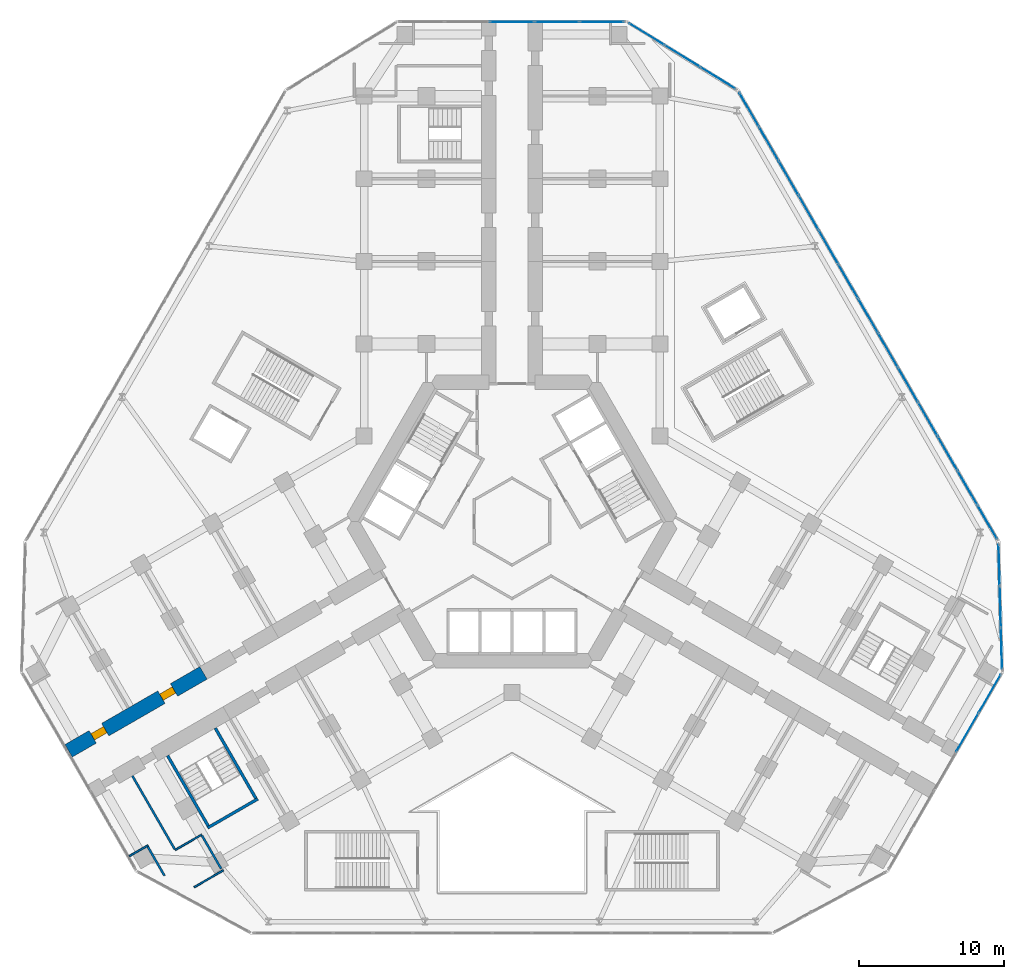
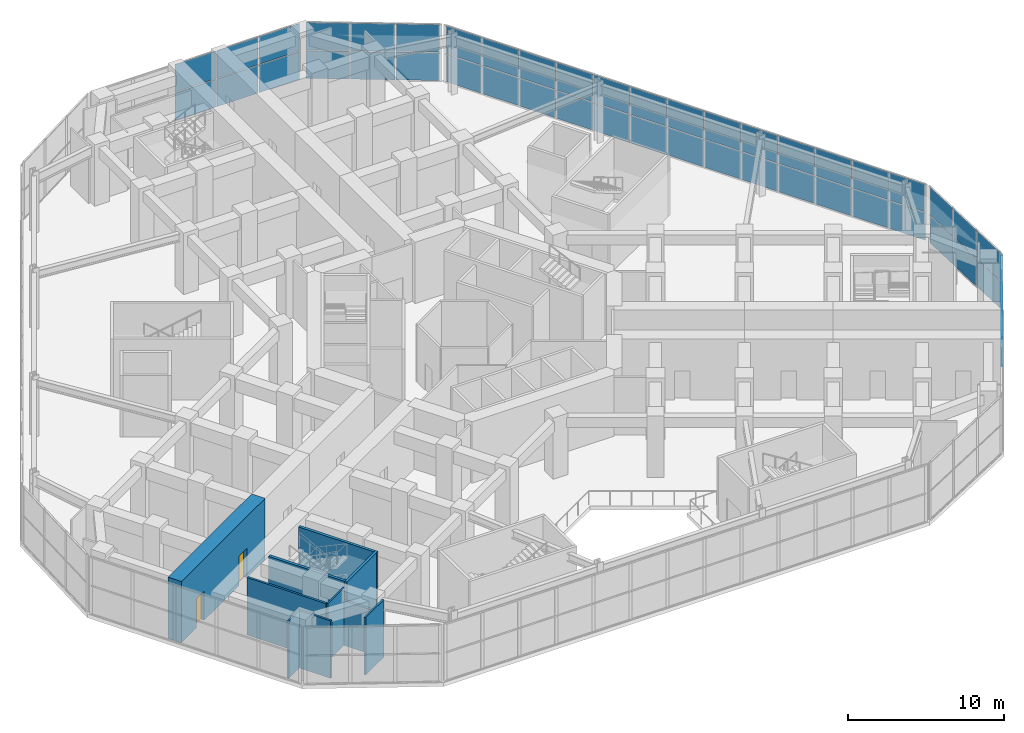
# One storey, part 14 of 22: 48 plates, 10 walls, 2 doors, 2 openings, 5 elements without a shape of their own.
"""IFC4 building model written with IfcOpenShell, lengths in metres."""

from ifc_helpers import new_model, si_unit, direction, frame, frame_2d, origin, origin_2d, place, context, subcontext, project, spatial, rectangle, extrude, material, layer, layer_set, type_object, element, fill, aggregate, save


model = new_model("IFC4")

# Units and contexts
model_context = context("Model", 3, precision=1e-05, world=origin(), true_north=direction((0.0, 1.0)))
body_context = subcontext(model_context, "Body", "Model", "MODEL_VIEW")
ifc_project = project(units=[si_unit("LENGTHUNIT", "METRE"), si_unit("AREAUNIT", "SQUARE_METRE"), si_unit("VOLUMEUNIT", "CUBIC_METRE"), si_unit("PLANEANGLEUNIT", "RADIAN"), si_unit("MASSUNIT", "GRAM", prefix="KILO")], contexts=[model_context])

# Site, building, storey
site_placement = place(None, origin())
site = spatial("IfcSite", under=ifc_project, at=site_placement, CompositionType="ELEMENT")
building_placement = place(site_placement, origin())
building = spatial("IfcBuilding", under=site, at=building_placement, Name="Kosmar Iwan School Tower", CompositionType="ELEMENT")
storey_placement = place(building_placement, frame((0.0, 0.0, 10.800048828125)))
storey = spatial("IfcBuildingStorey", under=building, at=storey_placement, Name="L02", CompositionType="ELEMENT", Elevation=10.800048828125)

# Curtain wall, plates
ifc_material_1 = material(Name="Dark glass in black aluminium frame", Category="aluminium")
curtain_wall_type_1 = type_object("IfcCurtainWallType", Name="Tower curtain wall dark glass", PredefinedType="USERDEFINED", material=ifc_material_1)
curtain_wall_1_placement = place(storey_placement, origin())
curtain_wall_1 = element("IfcCurtainWall", 1, at=curtain_wall_1_placement, inside=storey, type_object=curtain_wall_type_1, Name="Curtain wall L02-F02", ObjectType="UNITISED CURTAIN WALL", PredefinedType="USERDEFINED")
ifc_material_2 = material(Name="Dark glass", Category="glass")
ifc_layer_1 = layer(ifc_material_2, 0.028076171875)
ifc_layer_set_1 = layer_set([ifc_layer_1], Name="Dark glass panel 28")
plate_type = type_object("IfcPlateType", Name="Dark glass panel 28", PredefinedType="CURTAIN_PANEL", material=ifc_layer_set_1)
plate_1_placement = place(storey_placement, frame((31.4091796875, -14.5478515625, 0.06005859375), z_axis=(0.0, 0.0, 1.0), x_axis=(0.500000014057, 0.866025395669, 0.0)))
plate_1 = element("IfcPlate", 2, at=plate_1_placement, type_object=plate_type, Name="CW1 panel 4.1", PredefinedType="CURTAIN_PANEL", context=body_context, shape_type="SweptSolid", body=[
    extrude(rectangle(XDim=3.040771484375, YDim=0.028076171875, at=origin_2d()), origin(), (0.0, 0.0, 1.0), 2.159912109375),
])
plate_2_placement = place(storey_placement, frame((31.4091796875, -14.5478515625, 2.27978515625), z_axis=(0.0, 0.0, 1.0), x_axis=(0.500000014057, 0.866025395669, 0.0)))
plate_2 = element("IfcPlate", 3, at=plate_2_placement, type_object=plate_type, Name="CW1 panel 4.2", PredefinedType="CURTAIN_PANEL", context=body_context, shape_type="SweptSolid", body=[
    extrude(rectangle(XDim=3.040771484375, YDim=0.028076171875, at=origin_2d()), origin(), (0.0, 0.0, 1.0), 2.159912109375),
])
plate_3_placement = place(storey_placement, frame((32.953857421875, -11.8720703125, 0.06005859375), z_axis=(0.0, 0.0, 1.0), x_axis=(0.500000014057, 0.866025395669, 0.0)))
plate_3 = element("IfcPlate", 4, at=plate_3_placement, type_object=plate_type, Name="CW1 panel 5.1", PredefinedType="CURTAIN_PANEL", context=body_context, shape_type="SweptSolid", body=[
    extrude(rectangle(XDim=3.00830078125, YDim=0.028076171875, at=origin_2d()), origin(), (0.0, 0.0, 1.0), 2.159912109375),
])
plate_4_placement = place(storey_placement, frame((32.953857421875, -11.8720703125, 2.27978515625), z_axis=(0.0, 0.0, 1.0), x_axis=(0.500000014057, 0.866025395669, 0.0)))
plate_4 = element("IfcPlate", 5, at=plate_4_placement, type_object=plate_type, Name="CW1 panel 5.2", PredefinedType="CURTAIN_PANEL", context=body_context, shape_type="SweptSolid", body=[
    extrude(rectangle(XDim=3.00830078125, YDim=0.028076171875, at=origin_2d()), origin(), (0.0, 0.0, 1.0), 2.159912109375),
])
aggregate(curtain_wall_1, [plate_1, plate_2, plate_3, plate_4])

ifc_material_3 = material(Name="Dark glass in black aluminium frame", Category="aluminium")
curtain_wall_type_2 = type_object("IfcCurtainWallType", Name="Podium curtain wall", PredefinedType="USERDEFINED", material=ifc_material_3)
curtain_wall_2_placement = place(storey_placement, origin())
curtain_wall_2 = element("IfcCurtainWall", 6, at=curtain_wall_2_placement, inside=storey, type_object=curtain_wall_type_2, Name="Curtain wall L02-F03", ObjectType="STICK CURTAIN WALL", PredefinedType="USERDEFINED")
plate_5_placement = place(storey_placement, frame((33.767578125, -8.765380859375, 0.06005859375), z_axis=(0.0, 0.0, 1.0), x_axis=(-0.028386151255, 0.999597032017, 0.0)))
plate_5 = element("IfcPlate", 7, at=plate_5_placement, type_object=plate_type, Name="CW3 panel 1.1", PredefinedType="CURTAIN_PANEL", context=body_context, shape_type="SweptSolid", body=[
    extrude(rectangle(XDim=2.806884765625, YDim=0.028076171875, at=origin_2d()), origin(), (0.0, 0.0, 1.0), 2.159912109375),
])
plate_6_placement = place(storey_placement, frame((33.767578125, -8.765380859375, 2.27978515625), z_axis=(0.0, 0.0, 1.0), x_axis=(-0.028386151255, 0.999597032017, 0.0)))
plate_6 = element("IfcPlate", 8, at=plate_6_placement, type_object=plate_type, Name="CW3 panel 1.2", PredefinedType="CURTAIN_PANEL", context=body_context, shape_type="SweptSolid", body=[
    extrude(rectangle(XDim=2.806884765625, YDim=0.028076171875, at=origin_2d()), origin(), (0.0, 0.0, 1.0), 2.159912109375),
])
plate_7_placement = place(storey_placement, frame((33.685546875, -5.87841796875, 0.06005859375), z_axis=(0.0, 0.0, 1.0), x_axis=(-0.028386151255, 0.999597032017, 0.0)))
plate_7 = element("IfcPlate", 9, at=plate_7_placement, type_object=plate_type, Name="CW3 panel 2.1", PredefinedType="CURTAIN_PANEL", context=body_context, shape_type="SweptSolid", body=[
    extrude(rectangle(XDim=2.83935546875, YDim=0.028076171875, at=origin_2d()), origin(), (0.0, 0.0, 1.0), 2.159912109375),
])
plate_8_placement = place(storey_placement, frame((33.685546875, -5.87841796875, 2.27978515625), z_axis=(0.0, 0.0, 1.0), x_axis=(-0.028386151255, 0.999597032017, 0.0)))
plate_8 = element("IfcPlate", 10, at=plate_8_placement, type_object=plate_type, Name="CW3 panel 2.2", PredefinedType="CURTAIN_PANEL", context=body_context, shape_type="SweptSolid", body=[
    extrude(rectangle(XDim=2.83935546875, YDim=0.028076171875, at=origin_2d()), origin(), (0.0, 0.0, 1.0), 2.159912109375),
])
plate_9_placement = place(storey_placement, frame((33.603515625, -2.991455078125, 0.06005859375), z_axis=(0.0, 0.0, 1.0), x_axis=(-0.028386151255, 0.999597032017, 0.0)))
plate_9 = element("IfcPlate", 11, at=plate_9_placement, type_object=plate_type, Name="CW3 panel 3.1", PredefinedType="CURTAIN_PANEL", context=body_context, shape_type="SweptSolid", body=[
    extrude(rectangle(XDim=2.806884765625, YDim=0.028076171875, at=origin_2d()), origin(), (0.0, 0.0, 1.0), 2.159912109375),
])
plate_10_placement = place(storey_placement, frame((33.603515625, -2.991455078125, 2.27978515625), z_axis=(0.0, 0.0, 1.0), x_axis=(-0.028386151255, 0.999597032017, 0.0)))
plate_10 = element("IfcPlate", 12, at=plate_10_placement, type_object=plate_type, Name="CW3 panel 3.2", PredefinedType="CURTAIN_PANEL", context=body_context, shape_type="SweptSolid", body=[
    extrude(rectangle(XDim=2.806884765625, YDim=0.028076171875, at=origin_2d()), origin(), (0.0, 0.0, 1.0), 2.159912109375),
])
aggregate(curtain_wall_2, [plate_5, plate_6, plate_7, plate_8, plate_9, plate_10])

curtain_wall_3_placement = place(storey_placement, origin())
curtain_wall_3 = element("IfcCurtainWall", 13, at=curtain_wall_3_placement, inside=storey, type_object=curtain_wall_type_2, Name="Curtain wall L02-F04", ObjectType="STICK CURTAIN WALL", PredefinedType="USERDEFINED")
plate_11_placement = place(storey_placement, frame((32.789306640625, -0.04248046875, 0.06005859375), z_axis=(0.0, 0.0, 1.0), x_axis=(-0.50000002237, 0.866025390869, 0.0)))
plate_11 = element("IfcPlate", 14, at=plate_11_placement, type_object=plate_type, Name="CW3 panel 1.1", PredefinedType="CURTAIN_PANEL", context=body_context, shape_type="SweptSolid", body=[
    extrude(rectangle(XDim=2.643798828125, YDim=0.028076171875, at=origin_2d()), origin(), (0.0, 0.0, 1.0), 2.159912109375),
])
plate_12_placement = place(storey_placement, frame((32.789306640625, -0.04248046875, 2.27978515625), z_axis=(0.0, 0.0, 1.0), x_axis=(-0.50000002237, 0.866025390869, 0.0)))
plate_12 = element("IfcPlate", 15, at=plate_12_placement, type_object=plate_type, Name="CW3 panel 1.2", PredefinedType="CURTAIN_PANEL", context=body_context, shape_type="SweptSolid", body=[
    extrude(rectangle(XDim=2.643798828125, YDim=0.028076171875, at=origin_2d()), origin(), (0.0, 0.0, 1.0), 2.159912109375),
])
plate_13_placement = place(storey_placement, frame((31.4267578125, 2.3173828125, 0.06005859375), z_axis=(0.0, 0.0, 1.0), x_axis=(-0.50000002237, 0.866025390869, 0.0)))
plate_13 = element("IfcPlate", 16, at=plate_13_placement, type_object=plate_type, Name="CW3 panel 2.1", PredefinedType="CURTAIN_PANEL", context=body_context, shape_type="SweptSolid", body=[
    extrude(rectangle(XDim=2.67626953125, YDim=0.028076171875, at=origin_2d()), origin(), (0.0, 0.0, 1.0), 2.159912109375),
])
plate_14_placement = place(storey_placement, frame((31.4267578125, 2.3173828125, 2.27978515625), z_axis=(0.0, 0.0, 1.0), x_axis=(-0.50000002237, 0.866025390869, 0.0)))
plate_14 = element("IfcPlate", 17, at=plate_14_placement, type_object=plate_type, Name="CW3 panel 2.2", PredefinedType="CURTAIN_PANEL", context=body_context, shape_type="SweptSolid", body=[
    extrude(rectangle(XDim=2.67626953125, YDim=0.028076171875, at=origin_2d()), origin(), (0.0, 0.0, 1.0), 2.159912109375),
])
plate_15_placement = place(storey_placement, frame((30.05615234375, 4.69140625, 0.06005859375), z_axis=(0.0, 0.0, 1.0), x_axis=(-0.50000002237, 0.866025390869, 0.0)))
plate_15 = element("IfcPlate", 18, at=plate_15_placement, type_object=plate_type, Name="CW3 panel 3.1", PredefinedType="CURTAIN_PANEL", context=body_context, shape_type="SweptSolid", body=[
    extrude(rectangle(XDim=2.67626953125, YDim=0.028076171875, at=origin_2d()), origin(), (0.0, 0.0, 1.0), 2.159912109375),
])
plate_16_placement = place(storey_placement, frame((30.05615234375, 4.69140625, 2.27978515625), z_axis=(0.0, 0.0, 1.0), x_axis=(-0.50000002237, 0.866025390869, 0.0)))
plate_16 = element("IfcPlate", 19, at=plate_16_placement, type_object=plate_type, Name="CW3 panel 3.2", PredefinedType="CURTAIN_PANEL", context=body_context, shape_type="SweptSolid", body=[
    extrude(rectangle(XDim=2.67626953125, YDim=0.028076171875, at=origin_2d()), origin(), (0.0, 0.0, 1.0), 2.159912109375),
])
plate_17_placement = place(storey_placement, frame((28.685302734375, 7.0654296875, 0.06005859375), z_axis=(0.0, 0.0, 1.0), x_axis=(-0.50000002237, 0.866025390869, 0.0)))
plate_17 = element("IfcPlate", 20, at=plate_17_placement, type_object=plate_type, Name="CW3 panel 4.1", PredefinedType="CURTAIN_PANEL", context=body_context, shape_type="SweptSolid", body=[
    extrude(rectangle(XDim=2.67626953125, YDim=0.028076171875, at=origin_2d()), origin(), (0.0, 0.0, 1.0), 2.159912109375),
])
plate_18_placement = place(storey_placement, frame((28.685302734375, 7.0654296875, 2.27978515625), z_axis=(0.0, 0.0, 1.0), x_axis=(-0.50000002237, 0.866025390869, 0.0)))
plate_18 = element("IfcPlate", 21, at=plate_18_placement, type_object=plate_type, Name="CW3 panel 4.2", PredefinedType="CURTAIN_PANEL", context=body_context, shape_type="SweptSolid", body=[
    extrude(rectangle(XDim=2.67626953125, YDim=0.028076171875, at=origin_2d()), origin(), (0.0, 0.0, 1.0), 2.159912109375),
])
plate_19_placement = place(storey_placement, frame((27.314697265625, 9.439453125, 0.06005859375), z_axis=(0.0, 0.0, 1.0), x_axis=(-0.50000002237, 0.866025390869, 0.0)))
plate_19 = element("IfcPlate", 22, at=plate_19_placement, type_object=plate_type, Name="CW3 panel 5.1", PredefinedType="CURTAIN_PANEL", context=body_context, shape_type="SweptSolid", body=[
    extrude(rectangle(XDim=2.67626953125, YDim=0.028076171875, at=origin_2d()), origin(), (0.0, 0.0, 1.0), 2.159912109375),
])
plate_20_placement = place(storey_placement, frame((27.314697265625, 9.439453125, 2.27978515625), z_axis=(0.0, 0.0, 1.0), x_axis=(-0.50000002237, 0.866025390869, 0.0)))
plate_20 = element("IfcPlate", 23, at=plate_20_placement, type_object=plate_type, Name="CW3 panel 5.2", PredefinedType="CURTAIN_PANEL", context=body_context, shape_type="SweptSolid", body=[
    extrude(rectangle(XDim=2.67626953125, YDim=0.028076171875, at=origin_2d()), origin(), (0.0, 0.0, 1.0), 2.159912109375),
])
plate_21_placement = place(storey_placement, frame((25.944091796875, 11.8134765625, 0.06005859375), z_axis=(0.0, 0.0, 1.0), x_axis=(-0.50000002237, 0.866025390869, 0.0)))
plate_21 = element("IfcPlate", 24, at=plate_21_placement, type_object=plate_type, Name="CW3 panel 6.1", PredefinedType="CURTAIN_PANEL", context=body_context, shape_type="SweptSolid", body=[
    extrude(rectangle(XDim=2.67626953125, YDim=0.028076171875, at=origin_2d()), origin(), (0.0, 0.0, 1.0), 2.159912109375),
])
plate_22_placement = place(storey_placement, frame((25.944091796875, 11.8134765625, 2.27978515625), z_axis=(0.0, 0.0, 1.0), x_axis=(-0.50000002237, 0.866025390869, 0.0)))
plate_22 = element("IfcPlate", 25, at=plate_22_placement, type_object=plate_type, Name="CW3 panel 6.2", PredefinedType="CURTAIN_PANEL", context=body_context, shape_type="SweptSolid", body=[
    extrude(rectangle(XDim=2.67626953125, YDim=0.028076171875, at=origin_2d()), origin(), (0.0, 0.0, 1.0), 2.159912109375),
])
plate_23_placement = place(storey_placement, frame((24.573486328125, 14.1875, 0.06005859375), z_axis=(0.0, 0.0, 1.0), x_axis=(-0.50000002237, 0.866025390869, 0.0)))
plate_23 = element("IfcPlate", 26, at=plate_23_placement, type_object=plate_type, Name="CW3 panel 7.1", PredefinedType="CURTAIN_PANEL", context=body_context, shape_type="SweptSolid", body=[
    extrude(rectangle(XDim=2.67626953125, YDim=0.028076171875, at=origin_2d()), origin(), (0.0, 0.0, 1.0), 2.159912109375),
])
plate_24_placement = place(storey_placement, frame((24.573486328125, 14.1875, 2.27978515625), z_axis=(0.0, 0.0, 1.0), x_axis=(-0.50000002237, 0.866025390869, 0.0)))
plate_24 = element("IfcPlate", 27, at=plate_24_placement, type_object=plate_type, Name="CW3 panel 7.2", PredefinedType="CURTAIN_PANEL", context=body_context, shape_type="SweptSolid", body=[
    extrude(rectangle(XDim=2.67626953125, YDim=0.028076171875, at=origin_2d()), origin(), (0.0, 0.0, 1.0), 2.159912109375),
])
plate_25_placement = place(storey_placement, frame((23.202880859375, 16.5615234375, 0.06005859375), z_axis=(0.0, 0.0, 1.0), x_axis=(-0.50000002237, 0.866025390869, 0.0)))
plate_25 = element("IfcPlate", 28, at=plate_25_placement, type_object=plate_type, Name="CW3 panel 8.1", PredefinedType="CURTAIN_PANEL", context=body_context, shape_type="SweptSolid", body=[
    extrude(rectangle(XDim=2.67626953125, YDim=0.028076171875, at=origin_2d()), origin(), (0.0, 0.0, 1.0), 2.159912109375),
])
plate_26_placement = place(storey_placement, frame((23.202880859375, 16.5615234375, 2.27978515625), z_axis=(0.0, 0.0, 1.0), x_axis=(-0.50000002237, 0.866025390869, 0.0)))
plate_26 = element("IfcPlate", 29, at=plate_26_placement, type_object=plate_type, Name="CW3 panel 8.2", PredefinedType="CURTAIN_PANEL", context=body_context, shape_type="SweptSolid", body=[
    extrude(rectangle(XDim=2.67626953125, YDim=0.028076171875, at=origin_2d()), origin(), (0.0, 0.0, 1.0), 2.159912109375),
])
plate_27_placement = place(storey_placement, frame((21.832275390625, 18.935546875, 0.06005859375), z_axis=(0.0, 0.0, 1.0), x_axis=(-0.50000002237, 0.866025390869, 0.0)))
plate_27 = element("IfcPlate", 30, at=plate_27_placement, type_object=plate_type, Name="CW3 panel 9.1", PredefinedType="CURTAIN_PANEL", context=body_context, shape_type="SweptSolid", body=[
    extrude(rectangle(XDim=2.67626953125, YDim=0.028076171875, at=origin_2d()), origin(), (0.0, 0.0, 1.0), 2.159912109375),
])
plate_28_placement = place(storey_placement, frame((21.832275390625, 18.935546875, 2.27978515625), z_axis=(0.0, 0.0, 1.0), x_axis=(-0.50000002237, 0.866025390869, 0.0)))
plate_28 = element("IfcPlate", 31, at=plate_28_placement, type_object=plate_type, Name="CW3 panel 9.2", PredefinedType="CURTAIN_PANEL", context=body_context, shape_type="SweptSolid", body=[
    extrude(rectangle(XDim=2.67626953125, YDim=0.028076171875, at=origin_2d()), origin(), (0.0, 0.0, 1.0), 2.159912109375),
])
plate_29_placement = place(storey_placement, frame((20.46142578125, 21.3095703125, 0.06005859375), z_axis=(0.0, 0.0, 1.0), x_axis=(-0.50000002237, 0.866025390869, 0.0)))
plate_29 = element("IfcPlate", 32, at=plate_29_placement, type_object=plate_type, Name="CW3 panel 10.1", PredefinedType="CURTAIN_PANEL", context=body_context, shape_type="SweptSolid", body=[
    extrude(rectangle(XDim=2.67626953125, YDim=0.028076171875, at=origin_2d()), origin(), (0.0, 0.0, 1.0), 2.159912109375),
])
plate_30_placement = place(storey_placement, frame((20.46142578125, 21.3095703125, 2.27978515625), z_axis=(0.0, 0.0, 1.0), x_axis=(-0.50000002237, 0.866025390869, 0.0)))
plate_30 = element("IfcPlate", 33, at=plate_30_placement, type_object=plate_type, Name="CW3 panel 10.2", PredefinedType="CURTAIN_PANEL", context=body_context, shape_type="SweptSolid", body=[
    extrude(rectangle(XDim=2.67626953125, YDim=0.028076171875, at=origin_2d()), origin(), (0.0, 0.0, 1.0), 2.159912109375),
])
plate_31_placement = place(storey_placement, frame((19.0908203125, 23.68359375, 0.06005859375), z_axis=(0.0, 0.0, 1.0), x_axis=(-0.50000002237, 0.866025390869, 0.0)))
plate_31 = element("IfcPlate", 34, at=plate_31_placement, type_object=plate_type, Name="CW3 panel 11.1", PredefinedType="CURTAIN_PANEL", context=body_context, shape_type="SweptSolid", body=[
    extrude(rectangle(XDim=2.67626953125, YDim=0.028076171875, at=origin_2d()), origin(), (0.0, 0.0, 1.0), 2.159912109375),
])
plate_32_placement = place(storey_placement, frame((19.0908203125, 23.68359375, 2.27978515625), z_axis=(0.0, 0.0, 1.0), x_axis=(-0.50000002237, 0.866025390869, 0.0)))
plate_32 = element("IfcPlate", 35, at=plate_32_placement, type_object=plate_type, Name="CW3 panel 11.2", PredefinedType="CURTAIN_PANEL", context=body_context, shape_type="SweptSolid", body=[
    extrude(rectangle(XDim=2.67626953125, YDim=0.028076171875, at=origin_2d()), origin(), (0.0, 0.0, 1.0), 2.159912109375),
])
plate_33_placement = place(storey_placement, frame((17.72021484375, 26.0576171875, 0.06005859375), z_axis=(0.0, 0.0, 1.0), x_axis=(-0.50000002237, 0.866025390869, 0.0)))
plate_33 = element("IfcPlate", 36, at=plate_33_placement, type_object=plate_type, Name="CW3 panel 12.1", PredefinedType="CURTAIN_PANEL", context=body_context, shape_type="SweptSolid", body=[
    extrude(rectangle(XDim=2.67626953125, YDim=0.028076171875, at=origin_2d()), origin(), (0.0, 0.0, 1.0), 2.159912109375),
])
plate_34_placement = place(storey_placement, frame((17.72021484375, 26.0576171875, 2.27978515625), z_axis=(0.0, 0.0, 1.0), x_axis=(-0.50000002237, 0.866025390869, 0.0)))
plate_34 = element("IfcPlate", 37, at=plate_34_placement, type_object=plate_type, Name="CW3 panel 12.2", PredefinedType="CURTAIN_PANEL", context=body_context, shape_type="SweptSolid", body=[
    extrude(rectangle(XDim=2.67626953125, YDim=0.028076171875, at=origin_2d()), origin(), (0.0, 0.0, 1.0), 2.159912109375),
])
plate_35_placement = place(storey_placement, frame((16.357666015625, 28.41748046875, 0.06005859375), z_axis=(0.0, 0.0, 1.0), x_axis=(-0.50000002237, 0.866025390869, 0.0)))
plate_35 = element("IfcPlate", 38, at=plate_35_placement, type_object=plate_type, Name="CW3 panel 13.1", PredefinedType="CURTAIN_PANEL", context=body_context, shape_type="SweptSolid", body=[
    extrude(rectangle(XDim=2.643798828125, YDim=0.028076171875, at=origin_2d()), origin(), (0.0, 0.0, 1.0), 2.159912109375),
])
plate_36_placement = place(storey_placement, frame((16.357666015625, 28.41748046875, 2.27978515625), z_axis=(0.0, 0.0, 1.0), x_axis=(-0.50000002237, 0.866025390869, 0.0)))
plate_36 = element("IfcPlate", 39, at=plate_36_placement, type_object=plate_type, Name="CW3 panel 13.2", PredefinedType="CURTAIN_PANEL", context=body_context, shape_type="SweptSolid", body=[
    extrude(rectangle(XDim=2.643798828125, YDim=0.028076171875, at=origin_2d()), origin(), (0.0, 0.0, 1.0), 2.159912109375),
])
aggregate(curtain_wall_3, [plate_11, plate_12, plate_13, plate_14, plate_15, plate_16, plate_17, plate_18, plate_19, plate_20, plate_21, plate_22, plate_23, plate_24, plate_25, plate_26, plate_27, plate_28, plate_29, plate_30, plate_31, plate_32, plate_33, plate_34, plate_35, plate_36])

curtain_wall_4_placement = place(storey_placement, origin())
curtain_wall_4 = element("IfcCurtainWall", 40, at=curtain_wall_4_placement, inside=storey, type_object=curtain_wall_type_2, Name="Curtain wall L02-F05", ObjectType="STICK CURTAIN WALL", PredefinedType="USERDEFINED")
plate_37_placement = place(storey_placement, frame((14.211181640625, 30.59716796875, 0.06005859375), z_axis=(0.0, 0.0, 1.0), x_axis=(-0.851483299186, 0.524381722801, 0.0)))
plate_37 = element("IfcPlate", 41, at=plate_37_placement, type_object=plate_type, Name="CW3 panel 1.1", PredefinedType="CURTAIN_PANEL", context=body_context, shape_type="SweptSolid", body=[
    extrude(rectangle(XDim=2.806884765625, YDim=0.028076171875, at=origin_2d()), origin(), (0.0, 0.0, 1.0), 2.159912109375),
])
plate_38_placement = place(storey_placement, frame((14.211181640625, 30.59716796875, 2.27978515625), z_axis=(0.0, 0.0, 1.0), x_axis=(-0.851483299186, 0.524381722801, 0.0)))
plate_38 = element("IfcPlate", 42, at=plate_38_placement, type_object=plate_type, Name="CW3 panel 1.2", PredefinedType="CURTAIN_PANEL", context=body_context, shape_type="SweptSolid", body=[
    extrude(rectangle(XDim=2.806884765625, YDim=0.028076171875, at=origin_2d()), origin(), (0.0, 0.0, 1.0), 2.159912109375),
])
plate_39_placement = place(storey_placement, frame((11.751953125, 32.11181640625, 0.06005859375), z_axis=(0.0, 0.0, 1.0), x_axis=(-0.851483299186, 0.524381722801, 0.0)))
plate_39 = element("IfcPlate", 43, at=plate_39_placement, type_object=plate_type, Name="CW3 panel 2.1", PredefinedType="CURTAIN_PANEL", context=body_context, shape_type="SweptSolid", body=[
    extrude(rectangle(XDim=2.83935546875, YDim=0.028076171875, at=origin_2d()), origin(), (0.0, 0.0, 1.0), 2.159912109375),
])
plate_40_placement = place(storey_placement, frame((11.751953125, 32.11181640625, 2.27978515625), z_axis=(0.0, 0.0, 1.0), x_axis=(-0.851483299186, 0.524381722801, 0.0)))
plate_40 = element("IfcPlate", 44, at=plate_40_placement, type_object=plate_type, Name="CW3 panel 2.2", PredefinedType="CURTAIN_PANEL", context=body_context, shape_type="SweptSolid", body=[
    extrude(rectangle(XDim=2.83935546875, YDim=0.028076171875, at=origin_2d()), origin(), (0.0, 0.0, 1.0), 2.159912109375),
])
plate_41_placement = place(storey_placement, frame((9.292724609375, 33.626220703125, 0.06005859375), z_axis=(0.0, 0.0, 1.0), x_axis=(-0.851483299186, 0.524381722801, 0.0)))
plate_41 = element("IfcPlate", 45, at=plate_41_placement, type_object=plate_type, Name="CW3 panel 3.1", PredefinedType="CURTAIN_PANEL", context=body_context, shape_type="SweptSolid", body=[
    extrude(rectangle(XDim=2.806884765625, YDim=0.028076171875, at=origin_2d()), origin(), (0.0, 0.0, 1.0), 2.159912109375),
])
plate_42_placement = place(storey_placement, frame((9.292724609375, 33.626220703125, 2.27978515625), z_axis=(0.0, 0.0, 1.0), x_axis=(-0.851483299186, 0.524381722801, 0.0)))
plate_42 = element("IfcPlate", 46, at=plate_42_placement, type_object=plate_type, Name="CW3 panel 3.2", PredefinedType="CURTAIN_PANEL", context=body_context, shape_type="SweptSolid", body=[
    extrude(rectangle(XDim=2.806884765625, YDim=0.028076171875, at=origin_2d()), origin(), (0.0, 0.0, 1.0), 2.159912109375),
])
aggregate(curtain_wall_4, [plate_37, plate_38, plate_39, plate_40, plate_41, plate_42])

curtain_wall_5_placement = place(storey_placement, origin())
curtain_wall_5 = element("IfcCurtainWall", 47, at=curtain_wall_5_placement, inside=storey, type_object=curtain_wall_type_1, Name="Curtain wall L02-F06", ObjectType="UNITISED CURTAIN WALL", PredefinedType="USERDEFINED")
plate_43_placement = place(storey_placement, frame((6.1953125, 34.47509765625, 0.06005859375), z_axis=(0.0, 0.0, 1.0), x_axis=(-1.0, 0.0, 0.0)))
plate_43 = element("IfcPlate", 48, at=plate_43_placement, type_object=plate_type, Name="CW1 panel 1.1", PredefinedType="CURTAIN_PANEL", context=body_context, shape_type="SweptSolid", body=[
    extrude(rectangle(XDim=3.00830078125, YDim=0.028076171875, at=origin_2d()), origin(), (0.0, 0.0, 1.0), 2.159912109375),
])
plate_44_placement = place(storey_placement, frame((6.1953125, 34.47509765625, 2.27978515625), z_axis=(0.0, 0.0, 1.0), x_axis=(-1.0, 0.0, 0.0)))
plate_44 = element("IfcPlate", 49, at=plate_44_placement, type_object=plate_type, Name="CW1 panel 1.2", PredefinedType="CURTAIN_PANEL", context=body_context, shape_type="SweptSolid", body=[
    extrude(rectangle(XDim=3.00830078125, YDim=0.028076171875, at=origin_2d()), origin(), (0.0, 0.0, 1.0), 2.159912109375),
])
plate_45_placement = place(storey_placement, frame((3.10595703125, 34.47509765625, 0.06005859375), z_axis=(0.0, 0.0, 1.0), x_axis=(-1.0, 0.0, 0.0)))
plate_45 = element("IfcPlate", 50, at=plate_45_placement, type_object=plate_type, Name="CW1 panel 2.1", PredefinedType="CURTAIN_PANEL", context=body_context, shape_type="SweptSolid", body=[
    extrude(rectangle(XDim=3.040771484375, YDim=0.028076171875, at=origin_2d()), origin(), (0.0, 0.0, 1.0), 2.159912109375),
])
plate_46_placement = place(storey_placement, frame((3.10595703125, 34.47509765625, 2.27978515625), z_axis=(0.0, 0.0, 1.0), x_axis=(-1.0, 0.0, 0.0)))
plate_46 = element("IfcPlate", 51, at=plate_46_placement, type_object=plate_type, Name="CW1 panel 2.2", PredefinedType="CURTAIN_PANEL", context=body_context, shape_type="SweptSolid", body=[
    extrude(rectangle(XDim=3.040771484375, YDim=0.028076171875, at=origin_2d()), origin(), (0.0, 0.0, 1.0), 2.159912109375),
])
plate_47_placement = place(storey_placement, frame((0.0, 34.47509765625, 0.06005859375), z_axis=(0.0, 0.0, 1.0), x_axis=(-1.0, 0.0, 0.0)))
plate_47 = element("IfcPlate", 52, at=plate_47_placement, type_object=plate_type, Name="CW1 panel 3.1", PredefinedType="CURTAIN_PANEL", context=body_context, shape_type="SweptSolid", body=[
    extrude(rectangle(XDim=3.040771484375, YDim=0.028076171875, at=origin_2d()), origin(), (0.0, 0.0, 1.0), 2.159912109375),
])
plate_48_placement = place(storey_placement, frame((0.0, 34.47509765625, 2.27978515625), z_axis=(0.0, 0.0, 1.0), x_axis=(-1.0, 0.0, 0.0)))
plate_48 = element("IfcPlate", 53, at=plate_48_placement, type_object=plate_type, Name="CW1 panel 3.2", PredefinedType="CURTAIN_PANEL", context=body_context, shape_type="SweptSolid", body=[
    extrude(rectangle(XDim=3.040771484375, YDim=0.028076171875, at=origin_2d()), origin(), (0.0, 0.0, 1.0), 2.159912109375),
])
aggregate(curtain_wall_5, [plate_43, plate_44, plate_45, plate_46, plate_47, plate_48])

# Wall, openings, doors
ifc_material_4 = material(Name="Concrete C50/60", Category="concrete")
ifc_layer_2 = layer(ifc_material_4, 1.0)
ifc_layer_set_2 = layer_set([ifc_layer_2], Name="Corridor buttress wall 1000")
wall_type_1 = type_object("IfcWallType", Name="Corridor buttress wall 1000", PredefinedType="SHEAR", material=ifc_layer_set_2)
wall_1_placement = place(storey_placement, frame((-21.281494140625, -10.439453125, 0.0), z_axis=(0.0, 0.0, 1.0), x_axis=(-0.866032345022, -0.499987977232, 0.0)))
wall_1 = element("IfcWall", 54, at=wall_1_placement, inside=storey, type_object=wall_type_1, Name="Corridor wall BR bay 3", PredefinedType="SHEAR", context=body_context, shape_type="SweptSolid", body=[
    extrude(rectangle(XDim=10.744873046875, YDim=1.0, at=frame_2d((5.37255859375, 0.0))), origin(), (0.0, 0.0, 1.0), 4.800048828125),
])
opening_1_placement = place(wall_1_placement, frame((2.35009765625, 0.0, 0.0)))
opening_1 = element("IfcOpeningElement", 55, at=opening_1_placement, cuts=wall_1, Name="Opening D4", PredefinedType="OPENING", context=body_context, shape_type="SweptSolid", body=[
    extrude(rectangle(XDim=1.0, YDim=2.300048828125, at=frame_2d((0.5, 1.14990234375))), frame((0.0, 0.511962890625, 0.0), z_axis=(0.0, -1.0, 0.0), x_axis=(1.0, 0.0, 0.0)), (0.0, 0.0, 1.0), 1.02392578125),
])
opening_2_placement = place(wall_1_placement, frame((7.824951171875, 0.0, 0.0)))
opening_2 = element("IfcOpeningElement", 56, at=opening_2_placement, cuts=wall_1, Name="Opening D4", PredefinedType="OPENING", context=body_context, shape_type="SweptSolid", body=[
    extrude(rectangle(XDim=1.0, YDim=2.300048828125, at=frame_2d((0.5, 1.14990234375))), frame((0.0, 0.511962890625, 0.0), z_axis=(0.0, -1.0, 0.0), x_axis=(1.0, 0.0, 0.0)), (0.0, 0.0, 1.0), 1.02392578125),
])
ifc_material_5 = material(Name="Timber fire door with vision panel", Category="wood")
door_type = type_object("IfcDoorType", Name="Classroom door 1000x2300", OperationType="SINGLE_SWING_LEFT", PredefinedType="DOOR", material=ifc_material_5)
door_1_placement = place(opening_1_placement, origin())
door_1 = element("IfcDoor", 57, at=door_1_placement, inside=storey, type_object=door_type, Name="Primary classroom BR3 door L02-BR3", OperationType="SINGLE_SWING_LEFT", OverallHeight=2.300048828125, OverallWidth=1.0, PredefinedType="DOOR", context=body_context, shape_type="SweptSolid", body=[
    extrude(rectangle(XDim=1.0, YDim=2.300048828125, at=frame_2d((0.5, 1.14990234375))), frame((0.0, 0.25, 0.0), z_axis=(0.0, -1.0, 0.0), x_axis=(1.0, 0.0, 0.0)), (0.0, 0.0, 1.0), 0.5),
])
fill(opening_1, door_1)
door_2_placement = place(opening_2_placement, origin())
door_2 = element("IfcDoor", 58, at=door_2_placement, inside=storey, type_object=door_type, Name="Toilets door L02-BR4", OperationType="SINGLE_SWING_RIGHT", OverallHeight=2.300048828125, OverallWidth=1.0, PredefinedType="DOOR", context=body_context, shape_type="SweptSolid", body=[
    extrude(rectangle(XDim=1.0, YDim=2.300048828125, at=frame_2d((0.5, 1.14990234375))), frame((0.0, 0.25, 0.0), z_axis=(0.0, -1.0, 0.0), x_axis=(1.0, 0.0, 0.0)), (0.0, 0.0, 1.0), 0.5),
])
fill(opening_2, door_2)

# Walls
ifc_material_6 = material(Name="Gypsum board on steel studs", Category="steel")
ifc_layer_3 = layer(ifc_material_6, 0.1201171875)
ifc_layer_set_3 = layer_set([ifc_layer_3], Name="Dwelling partition 120")
wall_type_2 = type_object("IfcWallType", Name="Dwelling partition 120", PredefinedType="PARTITIONING", material=ifc_layer_set_3)
wall_2_placement = place(storey_placement, frame((-25.09716796875, -22.330322265625, 0.0), z_axis=(0.0, 0.0, 1.0), x_axis=(-0.866003374288, -0.500038154266, 0.0)))
element("IfcWall", 59, at=wall_2_placement, inside=storey, type_object=wall_type_2, Name="Partition L02-BL-DL", PredefinedType="PARTITIONING", context=body_context, shape_type="SweptSolid", body=[
    extrude(rectangle(XDim=1.4951171875, YDim=0.1201171875, at=frame_2d((0.74755859375, 0.0))), origin(), (0.0, 0.0, 1.0), 4.5),
])
wall_3_placement = place(storey_placement, frame((-19.912841796875, -24.059814453125, 0.0), z_axis=(0.0, 0.0, 1.0), x_axis=(-0.866024722723, -0.500001179632, 0.0)))
element("IfcWall", 60, at=wall_3_placement, inside=storey, type_object=wall_type_2, Name="Partition L02-BL-TW", PredefinedType="PARTITIONING", context=body_context, shape_type="SweptSolid", body=[
    extrude(rectangle(XDim=2.3251953125, YDim=0.1201171875, at=frame_2d((1.16259765625, 0.0))), origin(), (0.0, 0.0, 1.0), 4.5),
])
wall_4_placement = place(storey_placement, frame((-21.417724609375, -21.603271484375, 0.0), z_axis=(0.0, 0.0, 1.0), x_axis=(-0.866038466041, -0.499977374825, 0.0)))
element("IfcWall", 61, at=wall_4_placement, inside=storey, type_object=wall_type_2, Name="Partition L02-BL-X3L", PredefinedType="PARTITIONING", context=body_context, shape_type="SweptSolid", body=[
    extrude(rectangle(XDim=2.10009765625, YDim=0.1201171875, at=frame_2d((1.050048828125, 0.0))), origin(), (0.0, 0.0, 1.0), 4.5),
])
ifc_material_7 = material(Name="Concrete C35/45", Category="concrete")
ifc_layer_4 = layer(ifc_material_7, 0.199951171875)
ifc_layer_set_4 = layer_set([ifc_layer_4], Name="Escape stair wall 200")
wall_type_3 = type_object("IfcWallType", Name="Escape stair wall 200", PredefinedType="SHEAR", material=ifc_layer_set_4)
for number, where, z_axis, x_axis, name in (
    (62, (-20.470703125, -14.24365234375, 0.0), (0.0, 0.0, 1.0), (0.499987231761, -0.866032775405, 0.0), "Stair WS2 wall"),
    (63, (-23.76171875, -16.1435546875, 0.0), (0.0, 0.0, 1.0), (0.500018801468, -0.86601454848, 0.0), "Stair WS2 wall"),
):
    element("IfcWall", number, at=place(storey_placement, frame(where, z_axis=z_axis, x_axis=x_axis)), inside=storey, type_object=wall_type_3, Name=name, PredefinedType="SHEAR", context=body_context, shape_type="SweptSolid", body=[
        extrude(rectangle(XDim=5.800048828125, YDim=0.199951171875, at=frame_2d((2.89990234375, 0.0))), origin(), (0.0, 0.0, 1.0), 4.47998046875),
    ])
wall_5_placement = place(storey_placement, frame((-17.5341796875, -19.1298828125, 0.0), z_axis=(0.0, 0.0, 1.0), x_axis=(-0.866026010844, -0.49999894854, 0.0)))
element("IfcWall", 64, at=wall_5_placement, inside=storey, type_object=wall_type_3, Name="Stair WS2 wall", PredefinedType="SHEAR", context=body_context, shape_type="SweptSolid", body=[
    extrude(rectangle(XDim=4.0, YDim=0.199951171875, at=frame_2d((2.0, 0.0))), origin(), (0.0, 0.0, 1.0), 4.47998046875),
])
ifc_material_8 = material(Name="Gypsum board on steel studs", Category="steel")
ifc_layer_5 = layer(ifc_material_8, 0.14990234375)
ifc_layer_set_5 = layer_set([ifc_layer_5], Name="School partition 150")
wall_type_4 = type_object("IfcWallType", Name="School partition 150", PredefinedType="PARTITIONING", material=ifc_layer_set_5)
wall_6_placement = place(storey_placement, frame((-25.192138671875, -22.31591796875, 0.0), z_axis=(0.0, 0.0, 1.0), x_axis=(0.499973122483, -0.86604092097, 0.0)))
element("IfcWall", 65, at=wall_6_placement, inside=storey, type_object=wall_type_4, Name="Partition L02-BL-DC", PredefinedType="PARTITIONING", context=body_context, shape_type="SweptSolid", body=[
    extrude(rectangle(XDim=2.445068359375, YDim=0.14990234375, at=frame_2d((1.22265625, 0.0))), origin(), (0.0, 0.0, 1.0), 4.5),
])
wall_7_placement = place(storey_placement, frame((-21.387939453125, -21.6552734375, 0.0), z_axis=(0.0, 0.0, 1.0), x_axis=(0.500048002682, -0.865997687649, 0.0)))
element("IfcWall", 66, at=wall_7_placement, inside=storey, type_object=wall_type_4, Name="Partition L02-BL-X3", PredefinedType="PARTITIONING", context=body_context, shape_type="SweptSolid", body=[
    extrude(rectangle(XDim=2.639892578125, YDim=0.14990234375, at=frame_2d((1.31982421875, 0.0))), origin(), (0.0, 0.0, 1.0), 3.5),
])
wall_8_placement = place(storey_placement, frame((-26.1865234375, -17.543701171875, 0.0), z_axis=(0.0, 0.0, 1.0), x_axis=(0.49998782916, -0.866032430508, 0.0)))
element("IfcWall", 67, at=wall_8_placement, inside=storey, type_object=wall_type_4, Name="Partition L02-BL-X3T", PredefinedType="PARTITIONING", context=body_context, shape_type="SweptSolid", body=[
    extrude(rectangle(XDim=5.840087890625, YDim=0.14990234375, at=frame_2d((2.919921875, 0.0))), origin(), (0.0, 0.0, 1.0), 4.5),
])

save(model, "model.ifc")
